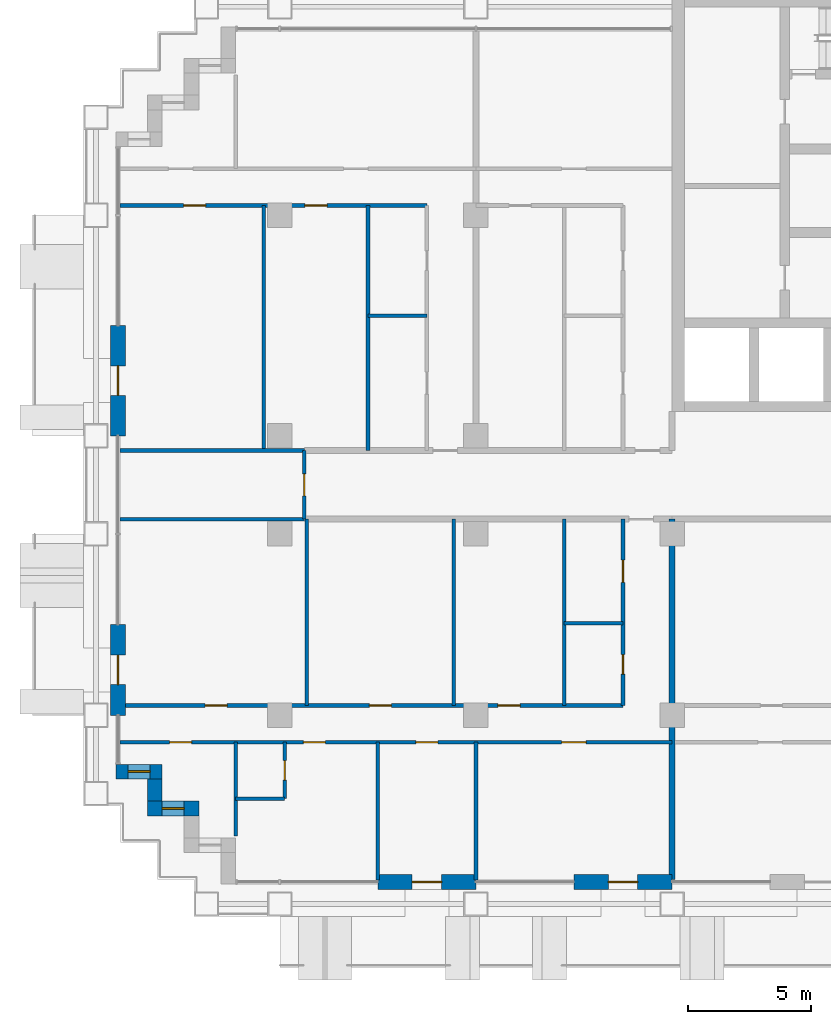
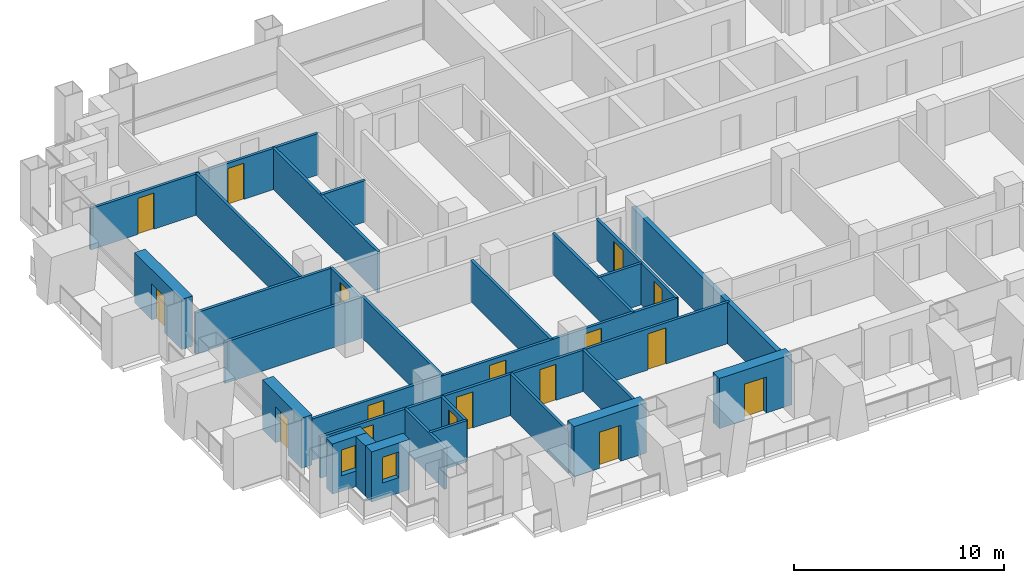
# One storey, part 9 of 18: 27 walls, 17 doors, 2 windows, 19 openings.
"""IFC4 building model written with IfcOpenShell, lengths in metres."""

from ifc_helpers import new_model, si_unit, direction, frame, frame_2d, origin, place, context, subcontext, project, spatial, rectangle, extrude, material, layer, layer_set, type_object, element, fill, save


model = new_model("IFC4")

# Units and contexts
model_context = context("Model", 3, precision=1e-05, world=origin(), true_north=direction((0.0, 1.0)))
body_context = subcontext(model_context, "Body", "Model", "MODEL_VIEW")
ifc_project = project(units=[si_unit("LENGTHUNIT", "METRE"), si_unit("AREAUNIT", "SQUARE_METRE"), si_unit("VOLUMEUNIT", "CUBIC_METRE"), si_unit("PLANEANGLEUNIT", "RADIAN"), si_unit("MASSUNIT", "GRAM", prefix="KILO")], contexts=[model_context])

# Site, building, storey
site_placement = place(None, origin())
site = spatial("IfcSite", under=ifc_project, at=site_placement, CompositionType="ELEMENT")
building_placement = place(site_placement, origin())
building = spatial("IfcBuilding", under=site, at=building_placement, Name="Vidyagriha Tower", CompositionType="ELEMENT")
storey_placement = place(building_placement, frame((0.0, 0.0, 54.39990234375)))
storey = spatial("IfcBuildingStorey", under=building, at=storey_placement, Name="L14", CompositionType="ELEMENT", Elevation=54.39990234375)

# Wall, opening, door
ifc_material_1 = material(Name="Precast concrete C40/50 with brick facing", Category="concrete")
ifc_layer_1 = layer(ifc_material_1, 0.60009765625)
ifc_layer_set_1 = layer_set([ifc_layer_1], Name="Precast concrete C40/50 with brick facing")
wall_type_1 = type_object("IfcWallType", Name="Brick-faced precast wall 600", PredefinedType="STANDARD", material=ifc_layer_set_1)
wall_1_placement = place(storey_placement, frame((-36.60009765625, 6.5, 0.0), z_axis=(0.0, 0.0, 1.0), x_axis=(0.0, -1.0, 0.0)))
wall_1 = element("IfcWall", 1, at=wall_1_placement, inside=storey, type_object=wall_type_1, Name="Brick door bay wall L14 R16.3", PredefinedType="STANDARD", context=body_context, shape_type="SweptSolid", body=[
    extrude(rectangle(XDim=4.5, YDim=0.60009765625, at=frame_2d((2.25, 0.0))), origin(), (0.0, 0.0, 1.0), 2.920166015625),
])
opening_1_placement = place(wall_1_placement, frame((1.64990234375, 0.0, 0.0)))
opening_1 = element("IfcOpeningElement", 2, at=opening_1_placement, cuts=wall_1, Name="Opening D14-71", PredefinedType="OPENING", context=body_context, shape_type="SweptSolid", body=[
    extrude(rectangle(XDim=1.199951171875, YDim=2.10009765625, at=frame_2d((0.60009765625, 1.050048828125))), frame((0.0, 0.31005859375, 0.0), z_axis=(0.0, -1.0, 0.0), x_axis=(1.0, 0.0, 0.0)), (0.0, 0.0, 1.0), 0.6201171875),
])
ifc_material_2 = material(Name="Aluminium framed glazed sliding door", Category="aluminium")
door_type_1 = type_object("IfcDoorType", Name="Balcony sliding door 1200x2100", OperationType="NOTDEFINED", PredefinedType="DOOR", material=ifc_material_2)
door_1_placement = place(opening_1_placement, origin())
door_1 = element("IfcDoor", 3, at=door_1_placement, inside=storey, type_object=door_type_1, Name="Door D14-71", OperationType="SLIDING_TO_LEFT", OverallHeight=2.10009765625, OverallWidth=1.199951171875, PredefinedType="DOOR", context=body_context, shape_type="SweptSolid", body=[
    extrude(rectangle(XDim=1.199951171875, YDim=2.10009765625, at=frame_2d((0.60009765625, 1.050048828125))), frame((0.0, 0.02490234375, 0.0), z_axis=(0.0, -1.0, 0.0), x_axis=(1.0, 0.0, 0.0)), (0.0, 0.0, 1.0), 0.050048828125),
])
fill(opening_1, door_1)

wall_2_placement = place(storey_placement, frame((-36.60009765625, -5.699951171875, 0.0), z_axis=(0.0, 0.0, 1.0), x_axis=(0.0, -1.0, 0.0)))
wall_2 = element("IfcWall", 4, at=wall_2_placement, inside=storey, type_object=wall_type_1, Name="Brick door bay wall L14 R16.6", PredefinedType="STANDARD", context=body_context, shape_type="SweptSolid", body=[
    extrude(rectangle(XDim=3.699951171875, YDim=0.60009765625, at=frame_2d((1.85009765625, 0.0))), origin(), (0.0, 0.0, 1.0), 2.920166015625),
])
opening_2_placement = place(wall_2_placement, frame((1.25, 0.0, 0.0)))
opening_2 = element("IfcOpeningElement", 5, at=opening_2_placement, cuts=wall_2, Name="Opening D14-72", PredefinedType="OPENING", context=body_context, shape_type="SweptSolid", body=[
    extrude(rectangle(XDim=1.199951171875, YDim=2.10009765625, at=frame_2d((0.60009765625, 1.050048828125))), frame((0.0, 0.31005859375, 0.0), z_axis=(0.0, -1.0, 0.0), x_axis=(1.0, 0.0, 0.0)), (0.0, 0.0, 1.0), 0.6201171875),
])
door_2_placement = place(opening_2_placement, origin())
door_2 = element("IfcDoor", 6, at=door_2_placement, inside=storey, type_object=door_type_1, Name="Door D14-72", OperationType="SLIDING_TO_LEFT", OverallHeight=2.10009765625, OverallWidth=1.199951171875, PredefinedType="DOOR", context=body_context, shape_type="SweptSolid", body=[
    extrude(rectangle(XDim=1.199951171875, YDim=2.10009765625, at=frame_2d((0.60009765625, 1.050048828125))), frame((0.0, 0.02490234375, 0.0), z_axis=(0.0, -1.0, 0.0), x_axis=(1.0, 0.0, 0.0)), (0.0, 0.0, 1.0), 0.050048828125),
])
fill(opening_2, door_2)

# Wall, opening, window
wall_3_placement = place(storey_placement, frame((-36.679931640625, -11.699951171875, 0.0)))
wall_3 = element("IfcWall", 7, at=wall_3_placement, inside=storey, type_object=wall_type_1, Name="Stepped corner wall L14 R17", PredefinedType="STANDARD", context=body_context, shape_type="SweptSolid", body=[
    extrude(rectangle(XDim=1.8798828125, YDim=0.60009765625, at=frame_2d((0.93994140625, 0.0))), origin(), (0.0, 0.0, 1.0), 2.920166015625),
])
opening_3_placement = place(wall_3_placement, frame((0.489990234375, 0.0, 0.89990234375)))
opening_3 = element("IfcOpeningElement", 8, at=opening_3_placement, cuts=wall_3, Name="Opening WN1", PredefinedType="OPENING", context=body_context, shape_type="SweptSolid", body=[
    extrude(rectangle(XDim=0.89990234375, YDim=1.5, at=frame_2d((0.449951171875, 0.75))), frame((0.0, 0.31005859375, 0.0), z_axis=(0.0, -1.0, 0.0), x_axis=(1.0, 0.0, 0.0)), (0.0, 0.0, 1.0), 0.6201171875),
])
ifc_material_3 = material(Name="Aluminium and glass window", Category="aluminium")
window_type = type_object("IfcWindowType", Name="Reveal window 900x1500", PartitioningType="NOTDEFINED", PredefinedType="WINDOW", material=ifc_material_3)
window_1_placement = place(opening_3_placement, origin())
window_1 = element("IfcWindow", 9, at=window_1_placement, inside=storey, type_object=window_type, Name="Reveal window L14 R17", OverallHeight=1.5, OverallWidth=0.89990234375, PartitioningType="SINGLE_PANEL", PredefinedType="WINDOW", context=body_context, shape_type="SweptSolid", body=[
    extrude(rectangle(XDim=0.89990234375, YDim=1.5, at=frame_2d((0.449951171875, 0.75))), frame((0.0, 0.030029296875, 0.0), z_axis=(0.0, -1.0, 0.0), x_axis=(1.0, 0.0, 0.0)), (0.0, 0.0, 1.0), 0.06005859375),
])
fill(opening_3, window_1)

# Wall
wall_4_placement = place(storey_placement, frame((-35.10009765625, -12.0, 0.0), z_axis=(0.0, 0.0, 1.0), x_axis=(0.0, -1.0, 0.0)))
element("IfcWall", 10, at=wall_4_placement, inside=storey, type_object=wall_type_1, Name="Stepped corner wall L14 R18", PredefinedType="STANDARD", context=body_context, shape_type="SweptSolid", body=[
    extrude(rectangle(XDim=0.89990234375, YDim=0.60009765625, at=frame_2d((0.449951171875, 0.0))), origin(), (0.0, 0.0, 1.0), 2.920166015625),
])

# Wall, opening, window
wall_5_placement = place(storey_placement, frame((-35.39990234375, -13.199951171875, 0.0)))
wall_5 = element("IfcWall", 11, at=wall_5_placement, inside=storey, type_object=wall_type_1, Name="Stepped corner wall L14 R19", PredefinedType="STANDARD", context=body_context, shape_type="SweptSolid", body=[
    extrude(rectangle(XDim=2.099853515625, YDim=0.60009765625, at=frame_2d((1.0498046875, 0.0))), origin(), (0.0, 0.0, 1.0), 2.920166015625),
])
opening_4_placement = place(wall_5_placement, frame((0.60009765625, 0.0, 0.89990234375)))
opening_4 = element("IfcOpeningElement", 12, at=opening_4_placement, cuts=wall_5, Name="Opening WN1", PredefinedType="OPENING", context=body_context, shape_type="SweptSolid", body=[
    extrude(rectangle(XDim=0.89990234375, YDim=1.5, at=frame_2d((0.449951171875, 0.75))), frame((0.0, 0.31005859375, 0.0), z_axis=(0.0, -1.0, 0.0), x_axis=(1.0, 0.0, 0.0)), (0.0, 0.0, 1.0), 0.6201171875),
])
window_2_placement = place(opening_4_placement, origin())
window_2 = element("IfcWindow", 13, at=window_2_placement, inside=storey, type_object=window_type, Name="Reveal window L14 R19", OverallHeight=1.5, OverallWidth=0.89990234375, PartitioningType="SINGLE_PANEL", PredefinedType="WINDOW", context=body_context, shape_type="SweptSolid", body=[
    extrude(rectangle(XDim=0.89990234375, YDim=1.5, at=frame_2d((0.449951171875, 0.75))), frame((0.0, 0.030029296875, 0.0), z_axis=(0.0, -1.0, 0.0), x_axis=(1.0, 0.0, 0.0)), (0.0, 0.0, 1.0), 0.06005859375),
])
fill(opening_4, window_2)

# Wall, opening, door
wall_6_placement = place(storey_placement, frame((-26.0, -16.199951171875, 0.0)))
wall_6 = element("IfcWall", 14, at=wall_6_placement, inside=storey, type_object=wall_type_1, Name="Brick door bay wall L14 R23.3", PredefinedType="STANDARD", context=body_context, shape_type="SweptSolid", body=[
    extrude(rectangle(XDim=4.0, YDim=0.60009765625, at=frame_2d((2.0, 0.0))), origin(), (0.0, 0.0, 1.0), 2.920166015625),
])
opening_5_placement = place(wall_6_placement, frame((1.39990234375, 0.0, 0.0)))
opening_5 = element("IfcOpeningElement", 15, at=opening_5_placement, cuts=wall_6, Name="Opening D14-73", PredefinedType="OPENING", context=body_context, shape_type="SweptSolid", body=[
    extrude(rectangle(XDim=1.199951171875, YDim=2.10009765625, at=frame_2d((0.60009765625, 1.050048828125))), frame((0.0, 0.31005859375, 0.0), z_axis=(0.0, -1.0, 0.0), x_axis=(1.0, 0.0, 0.0)), (0.0, 0.0, 1.0), 0.6201171875),
])
door_3_placement = place(opening_5_placement, origin())
door_3 = element("IfcDoor", 16, at=door_3_placement, inside=storey, type_object=door_type_1, Name="Door D14-73", OperationType="SLIDING_TO_LEFT", OverallHeight=2.10009765625, OverallWidth=1.199951171875, PredefinedType="DOOR", context=body_context, shape_type="SweptSolid", body=[
    extrude(rectangle(XDim=1.199951171875, YDim=2.10009765625, at=frame_2d((0.60009765625, 1.050048828125))), frame((0.0, 0.02490234375, 0.0), z_axis=(0.0, -1.0, 0.0), x_axis=(1.0, 0.0, 0.0)), (0.0, 0.0, 1.0), 0.050048828125),
])
fill(opening_5, door_3)

wall_7_placement = place(storey_placement, frame((-18.0, -16.199951171875, 0.0)))
wall_7 = element("IfcWall", 17, at=wall_7_placement, inside=storey, type_object=wall_type_1, Name="Brick door bay wall L14 R23.5", PredefinedType="STANDARD", context=body_context, shape_type="SweptSolid", body=[
    extrude(rectangle(XDim=4.0, YDim=0.60009765625, at=frame_2d((2.0, 0.0))), origin(), (0.0, 0.0, 1.0), 2.920166015625),
])
opening_6_placement = place(wall_7_placement, frame((1.39990234375, 0.0, 0.0)))
opening_6 = element("IfcOpeningElement", 18, at=opening_6_placement, cuts=wall_7, Name="Opening D14-74", PredefinedType="OPENING", context=body_context, shape_type="SweptSolid", body=[
    extrude(rectangle(XDim=1.199951171875, YDim=2.10009765625, at=frame_2d((0.60009765625, 1.050048828125))), frame((0.0, 0.31005859375, 0.0), z_axis=(0.0, -1.0, 0.0), x_axis=(1.0, 0.0, 0.0)), (0.0, 0.0, 1.0), 0.6201171875),
])
door_4_placement = place(opening_6_placement, origin())
door_4 = element("IfcDoor", 19, at=door_4_placement, inside=storey, type_object=door_type_1, Name="Door D14-74", OperationType="SLIDING_TO_LEFT", OverallHeight=2.10009765625, OverallWidth=1.199951171875, PredefinedType="DOOR", context=body_context, shape_type="SweptSolid", body=[
    extrude(rectangle(XDim=1.199951171875, YDim=2.10009765625, at=frame_2d((0.60009765625, 1.050048828125))), frame((0.0, 0.02490234375, 0.0), z_axis=(0.0, -1.0, 0.0), x_axis=(1.0, 0.0, 0.0)), (0.0, 0.0, 1.0), 0.050048828125),
])
fill(opening_6, door_4)

# Walls
ifc_material_4 = material(Name="Fired clay brick masonry", Category="masonry")
ifc_layer_2 = layer(ifc_material_4, 0.25)
ifc_layer_set_2 = layer_set([ifc_layer_2], Name="Fired clay brick masonry")
wall_type_2 = type_object("IfcWallType", Name="Fired clay brick demising wall 250", PredefinedType="PARTITIONING", material=ifc_layer_set_2)
wall_8_placement = place(storey_placement, frame((-14.0, -1.39990234375, 0.0), z_axis=(0.0, 0.0, 1.0), x_axis=(0.0, -1.0, 0.0)))
element("IfcWall", 20, at=wall_8_placement, inside=storey, type_object=wall_type_2, Name="Wall all-L14-w046", PredefinedType="PARTITIONING", context=body_context, shape_type="SweptSolid", body=[
    extrude(rectangle(XDim=14.710205078125, YDim=0.25, at=frame_2d((7.35498046875, 0.0))), origin(), (0.0, 0.0, 1.0), 2.400146484375),
])
ifc_material_5 = material(Name="Gypsum board partition")
ifc_layer_3 = layer(ifc_material_5, 0.14990234375)
ifc_layer_set_3 = layer_set([ifc_layer_3], Name="Gypsum board partition")
wall_type_3 = type_object("IfcWallType", Name="Gypsum board partition 150", PredefinedType="PARTITIONING", material=ifc_layer_set_3)
wall_9_placement = place(storey_placement, frame((-16.0, -5.64990234375, 0.0), z_axis=(0.0, 0.0, 1.0), x_axis=(-1.0, 0.0, 0.0)))
element("IfcWall", 21, at=wall_9_placement, inside=storey, type_object=wall_type_3, Name="Wall all-L14-w004", PredefinedType="PARTITIONING", context=body_context, shape_type="SweptSolid", body=[
    extrude(rectangle(XDim=2.39990234375, YDim=0.14990234375, at=frame_2d((1.199951171875, 0.0))), origin(), (0.0, 0.0, 1.0), 2.400146484375),
])
for number, where, z_axis, x_axis, name in (
    (22, (-18.39990234375, -9.0, 0.0), (0.0, 0.0, 1.0), (0.0, 1.0, 0.0), "Wall all-L14-w005"),
    (23, (-22.89990234375, -9.0, 0.0), (0.0, 0.0, 1.0), (0.0, 1.0, 0.0), "Wall all-L14-w006"),
    (24, (-28.89990234375, -9.0, 0.0), (0.0, 0.0, 1.0), (0.0, 1.0, 0.0), "Wall all-L14-w007"),
):
    element("IfcWall", number, at=place(storey_placement, frame(where, z_axis=z_axis, x_axis=x_axis)), inside=storey, type_object=wall_type_3, Name=name, PredefinedType="PARTITIONING", context=body_context, shape_type="SweptSolid", body=[
        extrude(rectangle(XDim=7.60009765625, YDim=0.14990234375, at=frame_2d((3.800048828125, 0.0))), origin(), (0.0, 0.0, 1.0), 2.400146484375),
    ])

# Wall, openings, doors
wall_10_placement = place(storey_placement, frame((-36.510009765625, -9.0, 0.0)))
wall_10 = element("IfcWall", 25, at=wall_10_placement, inside=storey, type_object=wall_type_3, Name="Wall all-L14-w008", PredefinedType="PARTITIONING", context=body_context, shape_type="SweptSolid", body=[
    extrude(rectangle(XDim=20.510009765625, YDim=0.14990234375, at=frame_2d((10.2548828125, 0.0))), origin(), (0.0, 0.0, 1.0), 2.400146484375),
])
opening_7_placement = place(wall_10_placement, frame((15.409912109375, 0.0, 0.0)))
opening_7 = element("IfcOpeningElement", 26, at=opening_7_placement, cuts=wall_10, Name="Opening D14-16", PredefinedType="OPENING", context=body_context, shape_type="SweptSolid", body=[
    extrude(rectangle(XDim=0.89990234375, YDim=2.10009765625, at=frame_2d((0.449951171875, 1.050048828125))), frame((0.0, 0.0849609375, 0.0), z_axis=(0.0, -1.0, 0.0), x_axis=(1.0, 0.0, 0.0)), (0.0, 0.0, 1.0), 0.169921875),
])
opening_8_placement = place(wall_10_placement, frame((10.159912109375, 0.0, 0.0)))
opening_8 = element("IfcOpeningElement", 27, at=opening_8_placement, cuts=wall_10, Name="Opening D14-17", PredefinedType="OPENING", context=body_context, shape_type="SweptSolid", body=[
    extrude(rectangle(XDim=0.89990234375, YDim=2.10009765625, at=frame_2d((0.449951171875, 1.050048828125))), frame((0.0, 0.0849609375, 0.0), z_axis=(0.0, -1.0, 0.0), x_axis=(1.0, 0.0, 0.0)), (0.0, 0.0, 1.0), 0.169921875),
])
opening_9_placement = place(wall_10_placement, frame((3.4599609375, 0.0, 0.0)))
opening_9 = element("IfcOpeningElement", 28, at=opening_9_placement, cuts=wall_10, Name="Opening D14-18", PredefinedType="OPENING", context=body_context, shape_type="SweptSolid", body=[
    extrude(rectangle(XDim=0.89990234375, YDim=2.10009765625, at=frame_2d((0.449951171875, 1.050048828125))), frame((0.0, 0.0849609375, 0.0), z_axis=(0.0, -1.0, 0.0), x_axis=(1.0, 0.0, 0.0)), (0.0, 0.0, 1.0), 0.169921875),
])
ifc_material_6 = material(Name="Timber door leaf", Category="wood")
door_type_2 = type_object("IfcDoorType", Name="Room door 900x2100", OperationType="NOTDEFINED", PredefinedType="DOOR", material=ifc_material_6)
door_5_placement = place(opening_7_placement, origin())
door_5 = element("IfcDoor", 29, at=door_5_placement, inside=storey, type_object=door_type_2, Name="Door D14-16", OperationType="SINGLE_SWING_RIGHT", OverallHeight=2.10009765625, OverallWidth=0.89990234375, PredefinedType="DOOR", context=body_context, shape_type="SweptSolid", body=[
    extrude(rectangle(XDim=0.89990234375, YDim=2.10009765625, at=frame_2d((0.449951171875, 1.050048828125))), frame((0.0, 0.02490234375, 0.0), z_axis=(0.0, -1.0, 0.0), x_axis=(1.0, 0.0, 0.0)), (0.0, 0.0, 1.0), 0.050048828125),
])
fill(opening_7, door_5)
door_6_placement = place(opening_8_placement, origin())
door_6 = element("IfcDoor", 30, at=door_6_placement, inside=storey, type_object=door_type_2, Name="Door D14-17", OperationType="SINGLE_SWING_RIGHT", OverallHeight=2.10009765625, OverallWidth=0.89990234375, PredefinedType="DOOR", context=body_context, shape_type="SweptSolid", body=[
    extrude(rectangle(XDim=0.89990234375, YDim=2.10009765625, at=frame_2d((0.449951171875, 1.050048828125))), frame((0.0, 0.02490234375, 0.0), z_axis=(0.0, -1.0, 0.0), x_axis=(1.0, 0.0, 0.0)), (0.0, 0.0, 1.0), 0.050048828125),
])
fill(opening_8, door_6)
door_7_placement = place(opening_9_placement, origin())
door_7 = element("IfcDoor", 31, at=door_7_placement, inside=storey, type_object=door_type_2, Name="Door D14-18", OperationType="SINGLE_SWING_LEFT", OverallHeight=2.10009765625, OverallWidth=0.89990234375, PredefinedType="DOOR", context=body_context, shape_type="SweptSolid", body=[
    extrude(rectangle(XDim=0.89990234375, YDim=2.10009765625, at=frame_2d((0.449951171875, 1.050048828125))), frame((0.0, 0.02490234375, 0.0), z_axis=(0.0, -1.0, 0.0), x_axis=(1.0, 0.0, 0.0)), (0.0, 0.0, 1.0), 0.050048828125),
])
fill(opening_9, door_7)

wall_11_placement = place(storey_placement, frame((-14.0, -10.5, 0.0), z_axis=(0.0, 0.0, 1.0), x_axis=(-1.0, 0.0, 0.0)))
wall_11 = element("IfcWall", 32, at=wall_11_placement, inside=storey, type_object=wall_type_3, Name="Wall all-L14-w012", PredefinedType="PARTITIONING", context=body_context, shape_type="SweptSolid", body=[
    extrude(rectangle(XDim=22.52001953125, YDim=0.14990234375, at=frame_2d((11.260009765625, 0.0))), origin(), (0.0, 0.0, 1.0), 2.400146484375),
])
opening_10_placement = place(wall_11_placement, frame((19.60009765625, 0.0, 0.0)))
opening_10 = element("IfcOpeningElement", 33, at=opening_10_placement, cuts=wall_11, Name="Opening D14-19", PredefinedType="OPENING", context=body_context, shape_type="SweptSolid", body=[
    extrude(rectangle(XDim=0.89990234375, YDim=2.10009765625, at=frame_2d((0.449951171875, 1.050048828125))), frame((0.0, 0.0849609375, 0.0), z_axis=(0.0, -1.0, 0.0), x_axis=(1.0, 0.0, 0.0)), (0.0, 0.0, 1.0), 0.169921875),
])
opening_11_placement = place(wall_11_placement, frame((14.139892578125, 0.0, 0.0)))
opening_11 = element("IfcOpeningElement", 34, at=opening_11_placement, cuts=wall_11, Name="Opening D14-20", PredefinedType="OPENING", context=body_context, shape_type="SweptSolid", body=[
    extrude(rectangle(XDim=0.89990234375, YDim=2.10009765625, at=frame_2d((0.449951171875, 1.050048828125))), frame((0.0, 0.0849609375, 0.0), z_axis=(0.0, -1.0, 0.0), x_axis=(1.0, 0.0, 0.0)), (0.0, 0.0, 1.0), 0.169921875),
])
opening_12_placement = place(wall_11_placement, frame((9.550048828125, 0.0, 0.0)))
opening_12 = element("IfcOpeningElement", 35, at=opening_12_placement, cuts=wall_11, Name="Opening D14-21", PredefinedType="OPENING", context=body_context, shape_type="SweptSolid", body=[
    extrude(rectangle(XDim=0.89990234375, YDim=2.10009765625, at=frame_2d((0.449951171875, 1.050048828125))), frame((0.0, 0.0849609375, 0.0), z_axis=(0.0, -1.0, 0.0), x_axis=(1.0, 0.0, 0.0)), (0.0, 0.0, 1.0), 0.169921875),
])
opening_13_placement = place(wall_11_placement, frame((3.5, 0.0, 0.0)))
opening_13 = element("IfcOpeningElement", 36, at=opening_13_placement, cuts=wall_11, Name="Opening D14-22", PredefinedType="OPENING", context=body_context, shape_type="SweptSolid", body=[
    extrude(rectangle(XDim=1.0, YDim=2.10009765625, at=frame_2d((0.5, 1.050048828125))), frame((0.0, 0.0849609375, 0.0), z_axis=(0.0, -1.0, 0.0), x_axis=(1.0, 0.0, 0.0)), (0.0, 0.0, 1.0), 0.169921875),
])
ifc_material_7 = material(Name="Timber door leaf", Category="wood")
door_type_3 = type_object("IfcDoorType", Name="Room door 1000x2100", OperationType="NOTDEFINED", PredefinedType="DOOR", material=ifc_material_7)
door_8_placement = place(opening_13_placement, origin())
door_8 = element("IfcDoor", 37, at=door_8_placement, inside=storey, type_object=door_type_3, Name="Door D14-22", OperationType="SINGLE_SWING_RIGHT", OverallHeight=2.10009765625, OverallWidth=1.0, PredefinedType="DOOR", context=body_context, shape_type="SweptSolid", body=[
    extrude(rectangle(XDim=1.0, YDim=2.10009765625, at=frame_2d((0.5, 1.050048828125))), frame((0.0, 0.02490234375, 0.0), z_axis=(0.0, -1.0, 0.0), x_axis=(1.0, 0.0, 0.0)), (0.0, 0.0, 1.0), 0.050048828125),
])
fill(opening_13, door_8)
door_9_placement = place(opening_10_placement, origin())
door_9 = element("IfcDoor", 38, at=door_9_placement, inside=storey, type_object=door_type_2, Name="Door D14-19", OperationType="SINGLE_SWING_LEFT", OverallHeight=2.10009765625, OverallWidth=0.89990234375, PredefinedType="DOOR", context=body_context, shape_type="SweptSolid", body=[
    extrude(rectangle(XDim=0.89990234375, YDim=2.10009765625, at=frame_2d((0.449951171875, 1.050048828125))), frame((0.0, 0.02490234375, 0.0), z_axis=(0.0, -1.0, 0.0), x_axis=(1.0, 0.0, 0.0)), (0.0, 0.0, 1.0), 0.050048828125),
])
fill(opening_10, door_9)
door_10_placement = place(opening_11_placement, origin())
door_10 = element("IfcDoor", 39, at=door_10_placement, inside=storey, type_object=door_type_2, Name="Door D14-20", OperationType="SINGLE_SWING_LEFT", OverallHeight=2.10009765625, OverallWidth=0.89990234375, PredefinedType="DOOR", context=body_context, shape_type="SweptSolid", body=[
    extrude(rectangle(XDim=0.89990234375, YDim=2.10009765625, at=frame_2d((0.449951171875, 1.050048828125))), frame((0.0, 0.02490234375, 0.0), z_axis=(0.0, -1.0, 0.0), x_axis=(1.0, 0.0, 0.0)), (0.0, 0.0, 1.0), 0.050048828125),
])
fill(opening_11, door_10)
door_11_placement = place(opening_12_placement, origin())
door_11 = element("IfcDoor", 40, at=door_11_placement, inside=storey, type_object=door_type_2, Name="Door D14-21", OperationType="SINGLE_SWING_RIGHT", OverallHeight=2.10009765625, OverallWidth=0.89990234375, PredefinedType="DOOR", context=body_context, shape_type="SweptSolid", body=[
    extrude(rectangle(XDim=0.89990234375, YDim=2.10009765625, at=frame_2d((0.449951171875, 1.050048828125))), frame((0.0, 0.02490234375, 0.0), z_axis=(0.0, -1.0, 0.0), x_axis=(1.0, 0.0, 0.0)), (0.0, 0.0, 1.0), 0.050048828125),
])
fill(opening_12, door_11)

# Walls
wall_12_placement = place(storey_placement, frame((-31.800048828125, -10.5, 0.0), z_axis=(0.0, 0.0, 1.0), x_axis=(0.0, -1.0, 0.0)))
element("IfcWall", 41, at=wall_12_placement, inside=storey, type_object=wall_type_3, Name="Wall all-L14-w017", PredefinedType="PARTITIONING", context=body_context, shape_type="SweptSolid", body=[
    extrude(rectangle(XDim=3.820068359375, YDim=0.14990234375, at=frame_2d((1.91015625, 0.0))), origin(), (0.0, 0.0, 1.0), 2.400146484375),
])
wall_13_placement = place(storey_placement, frame((-26.0, -10.5, 0.0), z_axis=(0.0, 0.0, 1.0), x_axis=(0.0, -1.0, 0.0)))
element("IfcWall", 42, at=wall_13_placement, inside=storey, type_object=wall_type_3, Name="Wall all-L14-w018", PredefinedType="PARTITIONING", context=body_context, shape_type="SweptSolid", body=[
    extrude(rectangle(XDim=5.62109375, YDim=0.14990234375, at=frame_2d((2.810546875, 0.0))), origin(), (0.0, 0.0, 1.0), 2.400146484375),
])
wall_14_placement = place(storey_placement, frame((-22.0, -10.5, 0.0), z_axis=(0.0, 0.0, 1.0), x_axis=(0.0, -1.0, 0.0)))
element("IfcWall", 43, at=wall_14_placement, inside=storey, type_object=wall_type_3, Name="Wall all-L14-w019", PredefinedType="PARTITIONING", context=body_context, shape_type="SweptSolid", body=[
    extrude(rectangle(XDim=5.610107421875, YDim=0.14990234375, at=frame_2d((2.80517578125, 0.0))), origin(), (0.0, 0.0, 1.0), 2.400146484375),
])

# Wall, opening, door
wall_15_placement = place(storey_placement, frame((-29.800048828125, -10.5, 0.0), z_axis=(0.0, 0.0, 1.0), x_axis=(0.0, -1.0, 0.0)))
wall_15 = element("IfcWall", 44, at=wall_15_placement, inside=storey, type_object=wall_type_3, Name="Wall all-L14-w020", PredefinedType="PARTITIONING", context=body_context, shape_type="SweptSolid", body=[
    extrude(rectangle(XDim=2.300048828125, YDim=0.14990234375, at=frame_2d((1.14990234375, 0.0))), origin(), (0.0, 0.0, 1.0), 2.400146484375),
])
opening_14_placement = place(wall_15_placement, frame((0.75, 0.0, 0.0)))
opening_14 = element("IfcOpeningElement", 45, at=opening_14_placement, cuts=wall_15, Name="Opening D14-23", PredefinedType="OPENING", context=body_context, shape_type="SweptSolid", body=[
    extrude(rectangle(XDim=0.800048828125, YDim=2.10009765625, at=frame_2d((0.39990234375, 1.050048828125))), frame((0.0, 0.0849609375, 0.0), z_axis=(0.0, -1.0, 0.0), x_axis=(1.0, 0.0, 0.0)), (0.0, 0.0, 1.0), 0.169921875),
])
ifc_material_8 = material(Name="Timber door leaf", Category="wood")
door_type_4 = type_object("IfcDoorType", Name="Bathroom door 800x2100", OperationType="NOTDEFINED", PredefinedType="DOOR", material=ifc_material_8)
door_12_placement = place(opening_14_placement, origin())
door_12 = element("IfcDoor", 46, at=door_12_placement, inside=storey, type_object=door_type_4, Name="Door D14-23", OperationType="SINGLE_SWING_LEFT", OverallHeight=2.10009765625, OverallWidth=0.800048828125, PredefinedType="DOOR", context=body_context, shape_type="SweptSolid", body=[
    extrude(rectangle(XDim=0.800048828125, YDim=2.10009765625, at=frame_2d((0.39990234375, 1.050048828125))), frame((0.0, 0.02490234375, 0.0), z_axis=(0.0, -1.0, 0.0), x_axis=(1.0, 0.0, 0.0)), (0.0, 0.0, 1.0), 0.050048828125),
])
fill(opening_14, door_12)

# Walls
wall_16_placement = place(storey_placement, frame((-29.800048828125, -12.800048828125, 0.0), z_axis=(0.0, 0.0, 1.0), x_axis=(-1.0, 0.0, 0.0)))
element("IfcWall", 47, at=wall_16_placement, inside=storey, type_object=wall_type_3, Name="Wall all-L14-w021", PredefinedType="PARTITIONING", context=body_context, shape_type="SweptSolid", body=[
    extrude(rectangle(XDim=2.0, YDim=0.14990234375, at=frame_2d((1.0, 0.0))), origin(), (0.0, 0.0, 1.0), 2.400146484375),
])
wall_17_placement = place(storey_placement, frame((-29.0, -1.39990234375, 0.0), z_axis=(0.0, 0.0, 1.0), x_axis=(-1.0, 0.0, 0.0)))
element("IfcWall", 48, at=wall_17_placement, inside=storey, type_object=wall_type_3, Name="Wall all-L14-w074", PredefinedType="PARTITIONING", context=body_context, shape_type="SweptSolid", body=[
    extrude(rectangle(XDim=7.52001953125, YDim=0.14990234375, at=frame_2d((3.760009765625, 0.0))), origin(), (0.0, 0.0, 1.0), 2.400146484375),
])
wall_18_placement = place(storey_placement, frame((-26.39990234375, 6.89990234375, 0.0)))
element("IfcWall", 49, at=wall_18_placement, inside=storey, type_object=wall_type_3, Name="Wall all-L14-w080", PredefinedType="PARTITIONING", context=body_context, shape_type="SweptSolid", body=[
    extrude(rectangle(XDim=2.39990234375, YDim=0.14990234375, at=frame_2d((1.199951171875, 0.0))), origin(), (0.0, 0.0, 1.0), 2.400146484375),
])
for number, where, z_axis, x_axis, name in (
    (50, (-26.39990234375, 1.39990234375, 0.0), (0.0, 0.0, 1.0), (0.0, 1.0, 0.0), "Wall all-L14-w081"),
    (51, (-30.64990234375, 1.39990234375, 0.0), (0.0, 0.0, 1.0), (0.0, 1.0, 0.0), "Wall all-L14-w082"),
):
    element("IfcWall", number, at=place(storey_placement, frame(where, z_axis=z_axis, x_axis=x_axis)), inside=storey, type_object=wall_type_3, Name=name, PredefinedType="PARTITIONING", context=body_context, shape_type="SweptSolid", body=[
        extrude(rectangle(XDim=10.0, YDim=0.14990234375, at=frame_2d((5.0, 0.0))), origin(), (0.0, 0.0, 1.0), 2.400146484375),
    ])

# Wall, openings, doors
wall_19_placement = place(storey_placement, frame((-24.0, 11.39990234375, 0.0), z_axis=(0.0, 0.0, 1.0), x_axis=(-1.0, 0.0, 0.0)))
wall_19 = element("IfcWall", 52, at=wall_19_placement, inside=storey, type_object=wall_type_3, Name="Wall all-L14-w083", PredefinedType="PARTITIONING", context=body_context, shape_type="SweptSolid", body=[
    extrude(rectangle(XDim=12.52001953125, YDim=0.14990234375, at=frame_2d((6.260009765625, 0.0))), origin(), (0.0, 0.0, 1.0), 2.400146484375),
])
opening_15_placement = place(wall_19_placement, frame((4.074951171875, 0.0, 0.0)))
opening_15 = element("IfcOpeningElement", 53, at=opening_15_placement, cuts=wall_19, Name="Opening D14-50", PredefinedType="OPENING", context=body_context, shape_type="SweptSolid", body=[
    extrude(rectangle(XDim=0.89990234375, YDim=2.10009765625, at=frame_2d((0.449951171875, 1.050048828125))), frame((0.0, 0.0849609375, 0.0), z_axis=(0.0, -1.0, 0.0), x_axis=(1.0, 0.0, 0.0)), (0.0, 0.0, 1.0), 0.169921875),
])
opening_16_placement = place(wall_19_placement, frame((9.02490234375, 0.0, 0.0)))
opening_16 = element("IfcOpeningElement", 54, at=opening_16_placement, cuts=wall_19, Name="Opening D14-51", PredefinedType="OPENING", context=body_context, shape_type="SweptSolid", body=[
    extrude(rectangle(XDim=0.89990234375, YDim=2.10009765625, at=frame_2d((0.449951171875, 1.050048828125))), frame((0.0, 0.0849609375, 0.0), z_axis=(0.0, -1.0, 0.0), x_axis=(1.0, 0.0, 0.0)), (0.0, 0.0, 1.0), 0.169921875),
])
door_13_placement = place(opening_15_placement, origin())
door_13 = element("IfcDoor", 55, at=door_13_placement, inside=storey, type_object=door_type_2, Name="Door D14-50", OperationType="SINGLE_SWING_RIGHT", OverallHeight=2.10009765625, OverallWidth=0.89990234375, PredefinedType="DOOR", context=body_context, shape_type="SweptSolid", body=[
    extrude(rectangle(XDim=0.89990234375, YDim=2.10009765625, at=frame_2d((0.449951171875, 1.050048828125))), frame((0.0, 0.02490234375, 0.0), z_axis=(0.0, -1.0, 0.0), x_axis=(1.0, 0.0, 0.0)), (0.0, 0.0, 1.0), 0.050048828125),
])
fill(opening_15, door_13)
door_14_placement = place(opening_16_placement, origin())
door_14 = element("IfcDoor", 56, at=door_14_placement, inside=storey, type_object=door_type_2, Name="Door D14-51", OperationType="SINGLE_SWING_RIGHT", OverallHeight=2.10009765625, OverallWidth=0.89990234375, PredefinedType="DOOR", context=body_context, shape_type="SweptSolid", body=[
    extrude(rectangle(XDim=0.89990234375, YDim=2.10009765625, at=frame_2d((0.449951171875, 1.050048828125))), frame((0.0, 0.02490234375, 0.0), z_axis=(0.0, -1.0, 0.0), x_axis=(1.0, 0.0, 0.0)), (0.0, 0.0, 1.0), 0.050048828125),
])
fill(opening_16, door_14)

# Wall
wall_20_placement = place(storey_placement, frame((-36.52001953125, 1.39990234375, 0.0)))
element("IfcWall", 57, at=wall_20_placement, inside=storey, type_object=wall_type_3, Name="Wall all-L14-w103", PredefinedType="PARTITIONING", context=body_context, shape_type="SweptSolid", body=[
    extrude(rectangle(XDim=7.52001953125, YDim=0.14990234375, at=frame_2d((3.760009765625, 0.0))), origin(), (0.0, 0.0, 1.0), 2.400146484375),
])

# Wall, opening, door
wall_21_placement = place(storey_placement, frame((-29.0, 1.39990234375, 0.0), z_axis=(0.0, 0.0, 1.0), x_axis=(0.0, -1.0, 0.0)))
wall_21 = element("IfcWall", 58, at=wall_21_placement, inside=storey, type_object=wall_type_3, Name="Wall all-L14-w124", PredefinedType="PARTITIONING", context=body_context, shape_type="SweptSolid", body=[
    extrude(rectangle(XDim=2.7998046875, YDim=0.14990234375, at=frame_2d((1.39990234375, 0.0))), origin(), (0.0, 0.0, 1.0), 2.400146484375),
])
opening_17_placement = place(wall_21_placement, frame((0.949951171875, 0.0, 0.0)))
opening_17 = element("IfcOpeningElement", 59, at=opening_17_placement, cuts=wall_21, Name="Opening D14-69", PredefinedType="OPENING", context=body_context, shape_type="SweptSolid", body=[
    extrude(rectangle(XDim=0.89990234375, YDim=2.10009765625, at=frame_2d((0.449951171875, 1.050048828125))), frame((0.0, 0.0849609375, 0.0), z_axis=(0.0, -1.0, 0.0), x_axis=(1.0, 0.0, 0.0)), (0.0, 0.0, 1.0), 0.169921875),
])
door_15_placement = place(opening_17_placement, origin())
door_15 = element("IfcDoor", 60, at=door_15_placement, inside=storey, type_object=door_type_2, Name="Door D14-69", OperationType="SINGLE_SWING_RIGHT", OverallHeight=2.10009765625, OverallWidth=0.89990234375, PredefinedType="DOOR", context=body_context, shape_type="SweptSolid", body=[
    extrude(rectangle(XDim=0.89990234375, YDim=2.10009765625, at=frame_2d((0.449951171875, 1.050048828125))), frame((0.0, 0.02490234375, 0.0), z_axis=(0.0, -1.0, 0.0), x_axis=(1.0, 0.0, 0.0)), (0.0, 0.0, 1.0), 0.050048828125),
])
fill(opening_17, door_15)

# Wall, openings, doors
ifc_material_9 = material(Name="Moisture resistant gypsum board partition")
ifc_layer_4 = layer(ifc_material_9, 0.14990234375)
ifc_layer_set_4 = layer_set([ifc_layer_4], Name="Moisture resistant gypsum board partition")
wall_type_4 = type_object("IfcWallType", Name="Gypsum board wet-area partition 150", PredefinedType="PARTITIONING", material=ifc_layer_set_4)
wall_22_placement = place(storey_placement, frame((-16.0, -9.0, 0.0), z_axis=(0.0, 0.0, 1.0), x_axis=(0.0, 1.0, 0.0)))
wall_22 = element("IfcWall", 61, at=wall_22_placement, inside=storey, type_object=wall_type_4, Name="Wall all-L14-w001", PredefinedType="PARTITIONING", context=body_context, shape_type="SweptSolid", body=[
    extrude(rectangle(XDim=7.60009765625, YDim=0.14990234375, at=frame_2d((3.800048828125, 0.0))), origin(), (0.0, 0.0, 1.0), 2.400146484375),
])
opening_18_placement = place(wall_22_placement, frame((5.02490234375, 0.0, 0.0)))
opening_18 = element("IfcOpeningElement", 62, at=opening_18_placement, cuts=wall_22, Name="Opening D14-14", PredefinedType="OPENING", context=body_context, shape_type="SweptSolid", body=[
    extrude(rectangle(XDim=0.89990234375, YDim=2.10009765625, at=frame_2d((0.449951171875, 1.050048828125))), frame((0.0, 0.0849609375, 0.0), z_axis=(0.0, -1.0, 0.0), x_axis=(1.0, 0.0, 0.0)), (0.0, 0.0, 1.0), 0.169921875),
])
opening_19_placement = place(wall_22_placement, frame((1.27490234375, 0.0, 0.0)))
opening_19 = element("IfcOpeningElement", 63, at=opening_19_placement, cuts=wall_22, Name="Opening D14-15", PredefinedType="OPENING", context=body_context, shape_type="SweptSolid", body=[
    extrude(rectangle(XDim=0.800048828125, YDim=2.10009765625, at=frame_2d((0.39990234375, 1.050048828125))), frame((0.0, 0.0849609375, 0.0), z_axis=(0.0, -1.0, 0.0), x_axis=(1.0, 0.0, 0.0)), (0.0, 0.0, 1.0), 0.169921875),
])
door_16_placement = place(opening_19_placement, origin())
door_16 = element("IfcDoor", 64, at=door_16_placement, inside=storey, type_object=door_type_4, Name="Door D14-15", OperationType="SINGLE_SWING_RIGHT", OverallHeight=2.10009765625, OverallWidth=0.800048828125, PredefinedType="DOOR", context=body_context, shape_type="SweptSolid", body=[
    extrude(rectangle(XDim=0.800048828125, YDim=2.10009765625, at=frame_2d((0.39990234375, 1.050048828125))), frame((0.0, 0.02490234375, 0.0), z_axis=(0.0, -1.0, 0.0), x_axis=(1.0, 0.0, 0.0)), (0.0, 0.0, 1.0), 0.050048828125),
])
fill(opening_19, door_16)
ifc_material_10 = material(Name="Timber door leaf", Category="wood")
door_type_5 = type_object("IfcDoorType", Name="Kitchen door 900x2100", OperationType="NOTDEFINED", PredefinedType="DOOR", material=ifc_material_10)
door_17_placement = place(opening_18_placement, origin())
door_17 = element("IfcDoor", 65, at=door_17_placement, inside=storey, type_object=door_type_5, Name="Door D14-14", OperationType="SINGLE_SWING_LEFT", OverallHeight=2.10009765625, OverallWidth=0.89990234375, PredefinedType="DOOR", context=body_context, shape_type="SweptSolid", body=[
    extrude(rectangle(XDim=0.89990234375, YDim=2.10009765625, at=frame_2d((0.449951171875, 1.050048828125))), frame((0.0, 0.02490234375, 0.0), z_axis=(0.0, -1.0, 0.0), x_axis=(1.0, 0.0, 0.0)), (0.0, 0.0, 1.0), 0.050048828125),
])
fill(opening_18, door_17)

save(model, "model.ifc")
